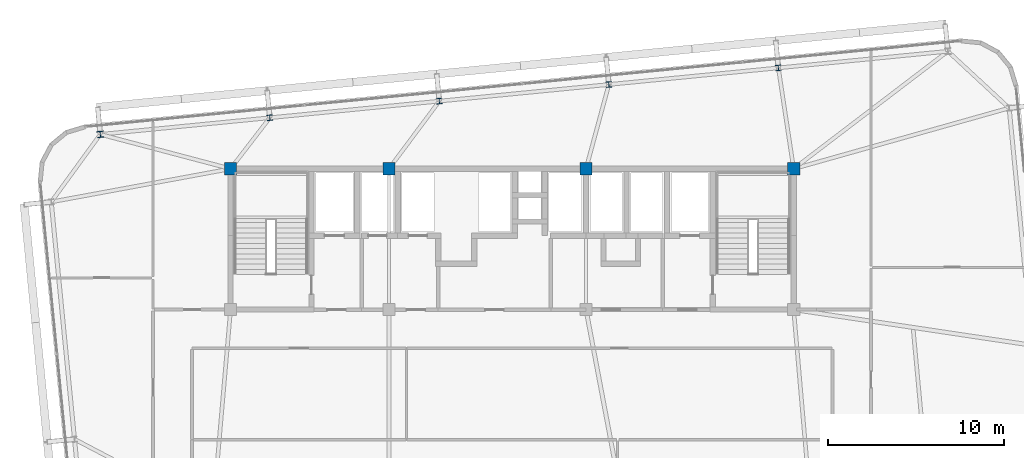
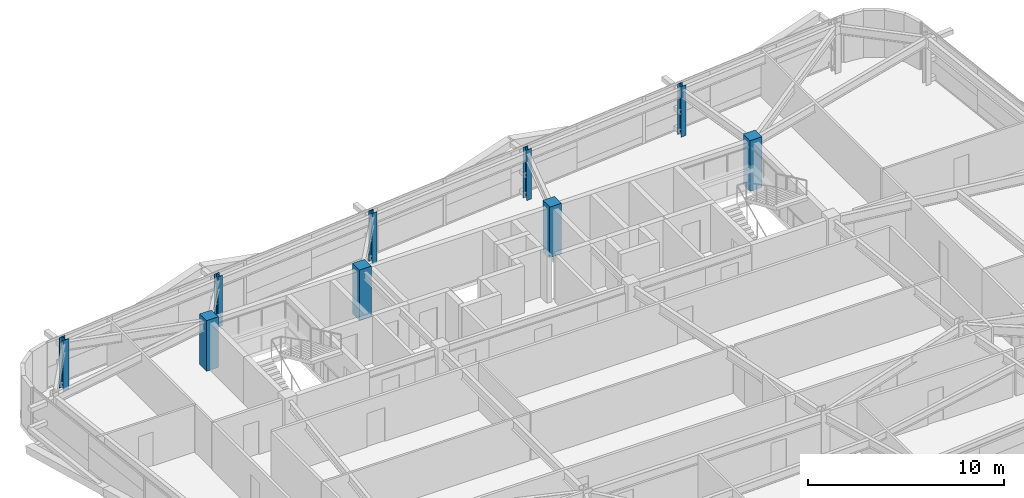
# One storey, part 3 of 47: 9 columns.
"""IFC4 building model written with IfcOpenShell, lengths in metres."""

import ifcopenshell
import ifcopenshell.guid

model = None  # the IFC model being written
_history = None  # IfcOwnerHistory: only IFC2X3 demands one
_inside = {}  # id of a spatial element -> (the spatial element, [elements in it])
_under = {}  # id of a project, library or spatial element -> (it, [spatial elements below it])
_declared = {}  # id of a project -> (the project, [libraries it declares])
_typed = {}  # id of a type object -> (the type object, [elements of that type])
_made_of = {}  # id of a material, layer set ... -> (it, [elements and type objects made of it])


def new_model(schema):
    """Start an empty IFC model of exactly this schema.

    Asked for "IFC4X3", IfcOpenShell would pick the latest addendum, in which some entities
    have other attributes; the version numbers below select the first issue.
    IFC2X3 requires an IfcOwnerHistory on every rooted entity: one is made here for all.
    """
    global model, _history
    if schema == "IFC4X3":
        model = ifcopenshell.file(schema_version=(4, 3, 0, 0))
    else:
        model = ifcopenshell.file(schema=schema)
    _inside.clear()
    _under.clear()
    _declared.clear()
    _typed.clear()
    _made_of.clear()
    _history = None
    if model.schema == "IFC2X3":
        org = make("IfcOrganization", Name="unknown")
        user = make(
            "IfcPersonAndOrganization",
            ThePerson=make("IfcPerson", FamilyName="unknown"),
            TheOrganization=org,
        )
        app = make(
            "IfcApplication",
            ApplicationDeveloper=org,
            Version="unknown",
            ApplicationFullName="unknown",
            ApplicationIdentifier="unknown",
        )
        _history = make(
            "IfcOwnerHistory",
            OwningUser=user,
            OwningApplication=app,
            ChangeAction="ADDED",
            CreationDate=0,
        )
    return model


def make(cls, **values):
    """One entity of the class cls with the attributes given. An attribute that is None is left unset."""
    return model.create_entity(
        cls, **{name: value for name, value in values.items() if value is not None}
    )


def rooted(cls, **values):
    """An entity with a GlobalId (a new one), such as an element, a storey or a relation."""
    return make(cls, GlobalId=ifcopenshell.guid.new(), OwnerHistory=_history, **values)


def si_unit(unit_type, name, prefix=None):
    """IfcSIUnit, for example si_unit("LENGTHUNIT", "METRE", prefix="MILLI")."""
    return make("IfcSIUnit", UnitType=unit_type, Prefix=prefix, Name=name)


def assignment(units):
    """IfcUnitAssignment: the units of a project."""
    return None if units is None else make("IfcUnitAssignment", Units=units)


def point(xyz):
    """IfcCartesianPoint."""
    return None if xyz is None else make("IfcCartesianPoint", Coordinates=xyz)


def direction(xyz):
    """IfcDirection."""
    return None if xyz is None else make("IfcDirection", DirectionRatios=xyz)


def frame(location, z_axis=None, x_axis=None):
    """IfcAxis2Placement3D, a coordinate frame: its origin and axes. An axis left out is left unset."""
    return make(
        "IfcAxis2Placement3D",
        Location=point(location),
        Axis=direction(z_axis),
        RefDirection=direction(x_axis),
    )


def frame_2d(location, x_axis=None):
    """IfcAxis2Placement2D, a coordinate frame in the plane: its origin and x axis."""
    return make(
        "IfcAxis2Placement2D", Location=point(location), RefDirection=direction(x_axis)
    )


def origin():
    """The frame at (0, 0, 0) with its axes left unset."""
    return frame((0.0, 0.0, 0.0))


def origin_2d():
    """The frame at (0, 0) in the plane with its x axis left unset."""
    return frame_2d((0.0, 0.0))


def place(relative_to, where):
    """IfcLocalPlacement: puts the frame where relative to a parent placement (None: the world)."""
    return make(
        "IfcLocalPlacement", PlacementRelTo=relative_to, RelativePlacement=where
    )


def context(
    kind, dimensions, precision=None, world=None, true_north=None, identifier=None
):
    """IfcGeometricRepresentationContext, for example the 3D "Model" context."""
    return make(
        "IfcGeometricRepresentationContext",
        ContextIdentifier=identifier,
        ContextType=kind,
        CoordinateSpaceDimension=dimensions,
        Precision=precision,
        WorldCoordinateSystem=world,
        TrueNorth=true_north,
    )


def subcontext(parent, identifier, kind, view, scale=None):
    """IfcGeometricRepresentationSubContext, for example "Body" below "Model"."""
    return make(
        "IfcGeometricRepresentationSubContext",
        ContextIdentifier=identifier,
        ContextType=kind,
        ParentContext=parent,
        TargetScale=scale,
        TargetView=view,
    )


def project(units=None, contexts=None):
    """IfcProject with its units and contexts."""
    return rooted(
        "IfcProject",
        Name="project",
        RepresentationContexts=contexts,
        UnitsInContext=assignment(units),
    )


def spatial(cls, under=None, at=None, **own):
    """A site, building, storey or space (cls), placed at a placement, below another one or the project."""
    s = rooted(cls, ObjectPlacement=at, **own)
    if under is not None:
        _under.setdefault(under.id(), (under, []))[1].append(s)
    return s


def profile(cls, at=None, kind="AREA", **sizes):
    """A parametric profile (cls). Its sizes go by their IFC names, for example OverallWidth=200.0."""
    return make(cls, ProfileType=kind, Position=at, **sizes)


def rectangle(**sizes):
    """IfcRectangleProfileDef."""
    return profile("IfcRectangleProfileDef", **sizes)


def i_section(**sizes):
    """IfcIShapeProfileDef."""
    return profile("IfcIShapeProfileDef", **sizes)


def extrude(swept, where, along, depth):
    """IfcExtrudedAreaSolid: the profile swept, set in the frame where, extruded along a direction by depth."""
    return make(
        "IfcExtrudedAreaSolid",
        SweptArea=swept,
        Position=where,
        ExtrudedDirection=direction(along),
        Depth=depth,
    )


def shape(context_of_items, identifier, shape_type, items):
    """IfcShapeRepresentation: the items that make up one representation, for example the "Body"."""
    return make(
        "IfcShapeRepresentation",
        ContextOfItems=context_of_items,
        RepresentationIdentifier=identifier,
        RepresentationType=shape_type,
        Items=items,
    )


def source(mapping_origin, context_of_items, identifier, shape_type, items):
    """IfcRepresentationMap: a shape defined once, which mapped items show again and again."""
    return make(
        "IfcRepresentationMap",
        MappingOrigin=mapping_origin,
        MappedRepresentation=shape(context_of_items, identifier, shape_type, items),
    )


def transform(
    local_origin,
    x_axis=None,
    y_axis=None,
    z_axis=None,
    scale=None,
    scale2=None,
    scale3=None,
    uniform=True,
):
    """IfcCartesianTransformationOperator3D, or its non-uniform kind. x_axis, y_axis, z_axis: its Axis1, 2, 3."""
    if uniform:
        return make(
            "IfcCartesianTransformationOperator3D",
            Axis1=direction(x_axis),
            Axis2=direction(y_axis),
            LocalOrigin=point(local_origin),
            Scale=scale,
            Axis3=direction(z_axis),
        )
    return make(
        "IfcCartesianTransformationOperator3DnonUniform",
        Axis1=direction(x_axis),
        Axis2=direction(y_axis),
        LocalOrigin=point(local_origin),
        Scale=scale,
        Axis3=direction(z_axis),
        Scale2=scale2,
        Scale3=scale3,
    )


def mapped(mapping_source, mapping_target):
    """IfcMappedItem: shows the shape of a source again, moved by a transform."""
    return make(
        "IfcMappedItem", MappingSource=mapping_source, MappingTarget=mapping_target
    )


def material(Name=None, Category=None):
    """IfcMaterial."""
    return make("IfcMaterial", Name=Name, Category=Category)


def material_profile(
    of_material, cross_section, Name=None, Category=None, Priority=None
):
    """IfcMaterialProfile: a cross section and its material."""
    return make(
        "IfcMaterialProfile",
        Name=Name,
        Material=of_material,
        Profile=cross_section,
        Priority=Priority,
        Category=Category,
    )


def profile_set(profiles, Name=None, composite=None):
    """IfcMaterialProfileSet."""
    return make(
        "IfcMaterialProfileSet",
        Name=Name,
        MaterialProfiles=profiles,
        CompositeProfile=composite,
    )


def made_of(thing, what):
    """Note that an element or type object is made of a material, layer set ...; save() writes the relation."""
    if what is not None:
        _made_of.setdefault(what.id(), (what, []))[1].append(thing)
    return thing


def type_object(cls, material=None, **own):
    """A type object (cls), such as IfcWallType, which elements share."""
    return made_of(rooted(cls, **own), material)


def element(
    cls,
    number,
    at=None,
    inside=None,
    cuts=None,
    type_object=None,
    material=None,
    context=None,
    identifier="Body",
    shape_type=None,
    held_by="IfcProductDefinitionShape",
    body=None,
    shapes=None,
    **own,
):
    """One element of the class cls, such as IfcWall. Its Tag is "e" and its number.

    at: its placement. inside: the storey or other place that contains it. cuts: it is an
    opening in that element (IfcRelVoidsElement). A single representation is given by context,
    identifier, shape_type and body (its items); several are given by shapes. held_by: the class
    of the entity that holds the representations. save() writes the other relations.
    """
    e = rooted(cls, Tag="e%d" % number, ObjectPlacement=at, **own)
    if body is not None:
        shapes = [shape(context, identifier, shape_type, body)]
    if shapes is not None:
        e.Representation = make(held_by, Representations=shapes)
    if inside is not None:
        _inside.setdefault(inside.id(), (inside, []))[1].append(e)
    if cuts is not None:
        rooted(
            "IfcRelVoidsElement", RelatingBuildingElement=cuts, RelatedOpeningElement=e
        )
    if type_object is not None:
        _typed.setdefault(type_object.id(), (type_object, []))[1].append(e)
    return made_of(e, material)


def aggregate(whole, parts):
    """IfcRelAggregates: a whole, such as a stair, and the parts it consists of."""
    return rooted("IfcRelAggregates", RelatingObject=whole, RelatedObjects=parts)


def save(model, path):
    """Write the relations noted so far, then the file.

    IfcRelAggregates (storeys below a building ...), IfcRelContainedInSpatialStructure (elements
    in a storey), IfcRelDefinesByType, IfcRelAssociatesMaterial and IfcRelDeclares: one each for
    every whole, place, type object, material and project.
    """
    for whole, parts in _under.values():
        aggregate(whole, parts)
    for where, things in _inside.values():
        rooted(
            "IfcRelContainedInSpatialStructure",
            RelatedElements=things,
            RelatingStructure=where,
        )
    for kind, things in _typed.values():
        rooted("IfcRelDefinesByType", RelatedObjects=things, RelatingType=kind)
    for what, things in _made_of.values():
        rooted("IfcRelAssociatesMaterial", RelatedObjects=things, RelatingMaterial=what)
    for by, libraries in _declared.values():
        rooted("IfcRelDeclares", RelatingContext=by, RelatedDefinitions=libraries)
    model.write(path)


model = new_model("IFC4")

# Units and contexts
model_context = context("Model", 3, precision=1e-05, world=origin(), true_north=direction((0.0, 1.0)))
body_context = subcontext(model_context, "Body", "Model", "MODEL_VIEW")
ifc_project = project(units=[si_unit("LENGTHUNIT", "METRE"), si_unit("AREAUNIT", "SQUARE_METRE"), si_unit("VOLUMEUNIT", "CUBIC_METRE"), si_unit("PLANEANGLEUNIT", "RADIAN"), si_unit("MASSUNIT", "GRAM", prefix="KILO")], contexts=[model_context])

# Site, building, storey
site_placement = place(None, origin())
site = spatial("IfcSite", under=ifc_project, at=site_placement, CompositionType="ELEMENT")
building_placement = place(site_placement, origin())
building = spatial("IfcBuilding", under=site, at=building_placement, Name="Taldren Reach Tower", CompositionType="ELEMENT")
storey_placement = place(building_placement, frame((0.0, 0.0, 87.14990234375)))
storey = spatial("IfcBuildingStorey", under=building, at=storey_placement, Name="L26", CompositionType="ELEMENT", Elevation=87.14990234375)

# Columns
ifc_material_1 = material(Name="Concrete S65 (65 MPa)", Category="concrete")
ifc_material_profile_1 = material_profile(ifc_material_1, rectangle(XDim=0.699951171875, YDim=0.699951171875, at=origin_2d()), Name="RC-700x700")
ifc_profile_set_1 = profile_set([ifc_material_profile_1], Name="Concrete S65 (65 MPa)")
column_type_1 = type_object("IfcColumnType", Name="COL-RC700", PredefinedType="COLUMN", material=ifc_profile_set_1)
shared_shape_1 = source(origin(), body_context, "Body", "SweptSolid", [
    extrude(rectangle(XDim=0.699951171875, YDim=0.699951171875, at=origin_2d()), origin(), (0.0, 0.0, 1.0), 3.150146484375),
])
for number, where, z_axis, x_axis, name in (
    (1, (19.0, 32.0, 0.0), (0.0, 0.0, 1.0), (1.0, 0.0, 0.0), "Mega column MC-C5 L26"),
    (2, (28.0, 32.0, 0.0), (0.0, 0.0, 1.0), (1.0, 0.0, 0.0), "Mega column MC-C6 L26"),
    (3, (39.199951171875, 32.0, 0.0), (0.0, 0.0, 1.0), (1.0, 0.0, 0.0), "Mega column MC-C7 L26"),
    (4, (51.0, 32.0, 0.0), (0.0, 0.0, 1.0), (1.0, 0.0, 0.0), "Mega column MC-C8 L26"),
):
    element("IfcColumn", number, at=place(storey_placement, frame(where, z_axis=z_axis, x_axis=x_axis)), inside=storey, type_object=column_type_1, Name=name, PredefinedType="COLUMN", context=body_context, shape_type="MappedRepresentation", body=[
        mapped(shared_shape_1, transform((0.0, 0.0, 0.0), scale=1.0)),
    ])
ifc_material_2 = material(Name="Steel Gr 350 (350PLUS)", Category="steel")
ifc_material_profile_2 = material_profile(ifc_material_2, i_section(OverallWidth=0.35009765625, OverallDepth=0.35595703125, WebThickness=0.01806640625, FlangeThickness=0.028076171875, at=origin_2d()), Name="350WC197")
ifc_profile_set_2 = profile_set([ifc_material_profile_2], Name="Steel Gr 350 (350PLUS)")
column_type_2 = type_object("IfcColumnType", Name="COL-WC350", PredefinedType="COLUMN", material=ifc_profile_set_2)
shared_shape_2 = source(origin(), body_context, "Body", "SweptSolid", [
    extrude(i_section(OverallWidth=0.35009765625, OverallDepth=0.35595703125, WebThickness=0.01806640625, FlangeThickness=0.028076171875, at=origin_2d()), origin(), (0.0, 0.0, 1.0), 3.150146484375),
])
column_placement = place(storey_placement, frame((11.596923828125, 33.956787109375, 0.0), z_axis=(0.0, 0.0, 1.0), x_axis=(0.995227399982, 0.097582899759, 0.0)))
element("IfcColumn", 5, at=column_placement, inside=storey, type_object=column_type_2, Name="Block B2 perimeter column N1 L26", PredefinedType="COLUMN", context=body_context, shape_type="MappedRepresentation", body=[
    mapped(shared_shape_2, transform((0.0, 0.0, 0.0), scale=1.0)),
])
ifc_material_profile_3 = material_profile(ifc_material_2, i_section(OverallWidth=0.306884765625, OverallDepth=0.31494140625, WebThickness=0.011962890625, FlangeThickness=0.018798828125, at=origin_2d()), Name="310UC118")
ifc_profile_set_3 = profile_set([ifc_material_profile_3], Name="Steel Gr 350 (350PLUS)")
column_type_3 = type_object("IfcColumnType", Name="COL-UC310B", PredefinedType="COLUMN", material=ifc_profile_set_3)
shared_shape_3 = source(origin(), body_context, "Body", "SweptSolid", [
    extrude(i_section(OverallWidth=0.306884765625, OverallDepth=0.31494140625, WebThickness=0.011962890625, FlangeThickness=0.018798828125, at=origin_2d()), origin(), (0.0, 0.0, 1.0), 3.150146484375),
])
for number, where, z_axis, x_axis, name in (
    (6, (21.230712890625, 34.9013671875, 0.0), (0.0, 0.0, 1.0), (0.995227399982, 0.097582899759, 0.0), "Block B2 perimeter column N2 L26"),
    (7, (30.864501953125, 35.84619140625, 0.0), (0.0, 0.0, 1.0), (0.995227399982, 0.097582899759, 0.0), "Block B2 perimeter column N3 L26"),
    (8, (40.498291015625, 36.790771484375, 0.0), (0.0, 0.0, 1.0), (0.995227399982, 0.097582899759, 0.0), "Block B2 perimeter column N4 L26"),
    (9, (50.132080078125, 37.7353515625, 0.0), (0.0, 0.0, 1.0), (0.995227399982, 0.097582899759, 0.0), "Block B2 perimeter column N5 L26"),
):
    element("IfcColumn", number, at=place(storey_placement, frame(where, z_axis=z_axis, x_axis=x_axis)), inside=storey, type_object=column_type_3, Name=name, PredefinedType="COLUMN", context=body_context, shape_type="MappedRepresentation", body=[
        mapped(shared_shape_3, transform((0.0, 0.0, 0.0), scale=1.0)),
    ])

save(model, "model.ifc")
